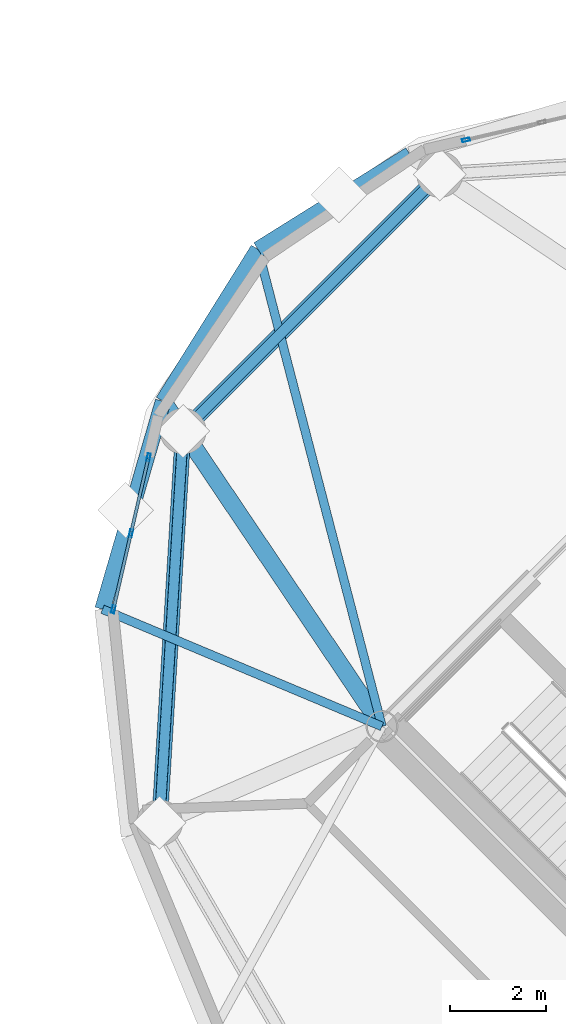
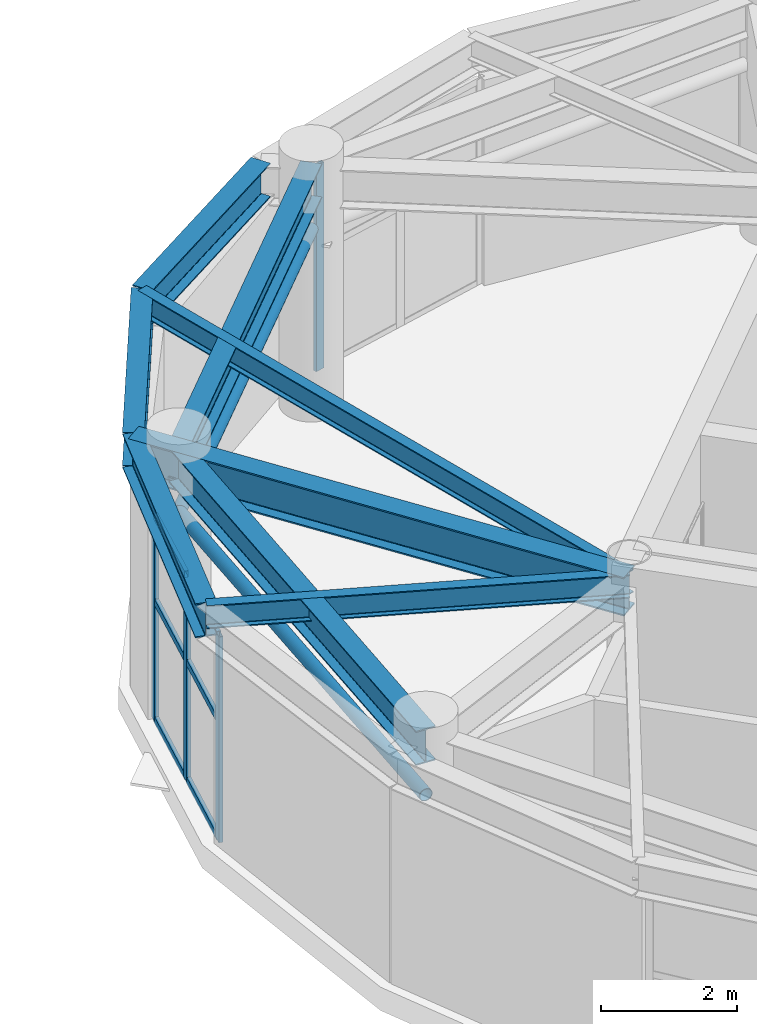
# One storey, part 15 of 28: 12 members, 8 beams, 2 elements without a shape of their own.
"""IFC4 building model written with IfcOpenShell, lengths in metres."""

from ifc_helpers import new_model, si_unit, direction, frame, origin, origin_2d, place, context, subcontext, project, spatial, hollow_rectangle, hollow_circle, i_section, extrude, material, layer, layer_set, material_profile, profile_set, type_object, element, aggregate, save


model = new_model("IFC4")

# Units and contexts
model_context = context("Model", 3, precision=1e-05, world=origin(), true_north=direction((0.0, 1.0)))
body_context = subcontext(model_context, "Body", "Model", "MODEL_VIEW")
ifc_project = project(units=[si_unit("LENGTHUNIT", "METRE"), si_unit("AREAUNIT", "SQUARE_METRE"), si_unit("VOLUMEUNIT", "CUBIC_METRE"), si_unit("PLANEANGLEUNIT", "RADIAN"), si_unit("MASSUNIT", "GRAM", prefix="KILO")], contexts=[model_context])

# Site, building, storey
site_placement = place(None, origin())
site = spatial("IfcSite", under=ifc_project, at=site_placement, CompositionType="ELEMENT")
building_placement = place(site_placement, origin())
building = spatial("IfcBuilding", under=site, at=building_placement, Name="Cununo Teusaquillo Station Towers", CompositionType="ELEMENT")
storey_placement = place(building_placement, frame((0.0, 0.0, 235.64990234375)))
storey = spatial("IfcBuildingStorey", under=building, at=storey_placement, Name="L75", CompositionType="ELEMENT", Elevation=235.64990234375)

# Beams
ifc_material_1 = material(Name="Steel ASTM A572 Grade 50", Category="steel")
ifc_material_profile_1 = material_profile(ifc_material_1, i_section(OverallWidth=0.180908203125, OverallDepth=0.4169921875, WebThickness=0.010986328125, FlangeThickness=0.018310546875, FilletRadius=0.012939453125, at=origin_2d()), Name="W16X57")
ifc_profile_set_1 = profile_set([ifc_material_profile_1], Name="Steel ASTM A572 Grade 50")
beam_type_1 = type_object("IfcBeamType", Name="BM-JOIST-1", PredefinedType="JOIST", material=ifc_profile_set_1)
beam_1_placement = place(storey_placement, frame((48.975830078125, 25.70556640625, 4.131591796875), z_axis=(-0.251559992432, 0.967841707206, 0.0), x_axis=(-0.967841707206, -0.251559992432, 0.0)))
element("IfcBeam", 1, at=beam_1_placement, inside=storey, type_object=beam_type_1, Name="L75 Tower B Radial Spandrel Joist V05", PredefinedType="JOIST", context=body_context, shape_type="SweptSolid", body=[
    extrude(i_section(OverallWidth=0.180908203125, OverallDepth=0.4169921875, WebThickness=0.010986328125, FlangeThickness=0.018310546875, FilletRadius=0.012939453125, at=origin_2d()), origin(), (0.0, 0.0, 1.0), 10.217529296875),
])
beam_2_placement = place(storey_placement, frame((48.975830078125, 25.70556640625, 4.131591796875), z_axis=(-0.922169338565, 0.386786389381, 0.0), x_axis=(-0.386786389381, -0.922169338565, 0.0)))
element("IfcBeam", 2, at=beam_2_placement, inside=storey, type_object=beam_type_1, Name="L75 Tower B Radial Spandrel Joist V07", PredefinedType="JOIST", context=body_context, shape_type="SweptSolid", body=[
    extrude(i_section(OverallWidth=0.180908203125, OverallDepth=0.4169921875, WebThickness=0.010986328125, FlangeThickness=0.018310546875, FilletRadius=0.012939453125, at=origin_2d()), origin(), (0.0, 0.0, 1.0), 6.281005859375),
])
ifc_material_2 = material(Name="Steel ASTM A572 Grade 50", Category="steel")
ifc_material_profile_2 = material_profile(ifc_material_2, i_section(OverallWidth=0.35498046875, OverallDepth=0.696044921875, WebThickness=0.015380859375, FlangeThickness=0.02490234375, FilletRadius=0.01806640625, at=origin_2d()), Name="W27X146")
ifc_profile_set_2 = profile_set([ifc_material_profile_2], Name="Steel ASTM A572 Grade 50")
beam_type_2 = type_object("IfcBeamType", Name="BM-PLNT-G1", PredefinedType="BEAM", material=ifc_profile_set_2)
beam_3_placement = place(storey_placement, frame((48.975830078125, 25.70556640625, 3.9921875), z_axis=(-0.558570844079, 0.829456817529, 0.0), x_axis=(-0.829456817529, -0.558570844079, 0.0)))
element("IfcBeam", 3, at=beam_3_placement, inside=storey, type_object=beam_type_2, Name="L75 Tower B Continuous Overhanging Radial Girder 04", PredefinedType="BEAM", context=body_context, shape_type="SweptSolid", body=[
    extrude(i_section(OverallWidth=0.35498046875, OverallDepth=0.696044921875, WebThickness=0.015380859375, FlangeThickness=0.02490234375, FilletRadius=0.01806640625, at=origin_2d()), origin(), (0.0, 0.0, 1.0), 8.1240234375),
])
ifc_material_3 = material(Name="Steel ASTM A572 Grade 50", Category="steel")
ifc_material_profile_3 = material_profile(ifc_material_3, i_section(OverallWidth=0.324951171875, OverallDepth=0.615966796875, WebThickness=0.013916015625, FlangeThickness=0.021484375, FilletRadius=0.01611328125, at=origin_2d()), Name="W24X117")
ifc_profile_set_3 = profile_set([ifc_material_profile_3], Name="Steel ASTM A572 Grade 50")
beam_type_3 = type_object("IfcBeamType", Name="BM-PLNT-G2", PredefinedType="BEAM", material=ifc_profile_set_3)
beam_4_placement = place(storey_placement, frame((50.173095703125, 37.146240234375, 4.031982421875), z_axis=(-0.707106781187, -0.707106781187, 0.0), x_axis=(0.707106781187, -0.707106781187, 0.0)))
element("IfcBeam", 4, at=beam_4_placement, inside=storey, type_object=beam_type_3, Name="L75 Tower B Structural Column Ring Girder 03", PredefinedType="BEAM", context=body_context, shape_type="SweptSolid", body=[
    extrude(i_section(OverallWidth=0.324951171875, OverallDepth=0.615966796875, WebThickness=0.013916015625, FlangeThickness=0.021484375, FilletRadius=0.01611328125, at=origin_2d()), origin(), (0.0, 0.0, 1.0), 7.522705078125),
])
beam_5_placement = place(storey_placement, frame((44.853759765625, 31.826904296875, 4.031982421875), z_axis=(-0.06012979176, -0.998190567048, 0.0), x_axis=(0.998190567048, -0.06012979176, 0.0)))
element("IfcBeam", 5, at=beam_5_placement, inside=storey, type_object=beam_type_3, Name="L75 Tower B Structural Column Ring Girder 04", PredefinedType="BEAM", context=body_context, shape_type="SweptSolid", body=[
    extrude(i_section(OverallWidth=0.324951171875, OverallDepth=0.615966796875, WebThickness=0.013916015625, FlangeThickness=0.021484375, FilletRadius=0.01611328125, at=origin_2d()), origin(), (0.0, 0.0, 1.0), 8.132568359375),
])
for number, where, z_axis, x_axis, name in (
    (6, (49.555908203125, 37.56201171875, 4.031982421875), (-0.848175505099, -0.529715312739, 0.0), (0.529715312739, -0.848175505099, 0.0), "L75 Tower B Spandrel Ring Beam 05"),
    (7, (46.405517578125, 35.594482421875, 4.031982421875), (-0.529715312739, -0.848175505099, 0.0), (0.848175505099, -0.529715312739, 0.0), "L75 Tower B Spandrel Ring Beam 06"),
):
    element("IfcBeam", number, at=place(storey_placement, frame(where, z_axis=z_axis, x_axis=x_axis)), inside=storey, type_object=beam_type_3, Name=name, PredefinedType="BEAM", context=body_context, shape_type="SweptSolid", body=[
        extrude(i_section(OverallWidth=0.324951171875, OverallDepth=0.615966796875, WebThickness=0.013916015625, FlangeThickness=0.021484375, FilletRadius=0.01611328125, at=origin_2d()), origin(), (0.0, 0.0, 1.0), 3.71435546875),
    ])
beam_6_placement = place(storey_placement, frame((44.43798828125, 32.444091796875, 4.031982421875), z_axis=(-0.279502797802, -0.96014487762, 0.0), x_axis=(0.96014487762, -0.279502797802, 0.0)))
element("IfcBeam", 8, at=beam_6_placement, inside=storey, type_object=beam_type_3, Name="L75 Tower B Spandrel Ring Beam 07", PredefinedType="BEAM", context=body_context, shape_type="SweptSolid", body=[
    extrude(i_section(OverallWidth=0.324951171875, OverallDepth=0.615966796875, WebThickness=0.013916015625, FlangeThickness=0.021484375, FilletRadius=0.01611328125, at=origin_2d()), origin(), (0.0, 0.0, 1.0), 4.488037109375),
])

# Curtain wall, member
ifc_material_4 = material(Name="Ceramic-fritted dark low-E double glazing", Category="glass")
ifc_layer = layer(ifc_material_4, 0.179931640625)
ifc_layer_set = layer_set([ifc_layer], Name="Ceramic-fritted dark low-E double glazing")
curtain_wall_type = type_object("IfcCurtainWallType", Name="CW-SYS-08", PredefinedType="USERDEFINED", material=ifc_layer_set)
curtain_wall_1_placement = place(storey_placement, origin())
curtain_wall_1 = element("IfcCurtainWall", 9, at=curtain_wall_1_placement, inside=storey, type_object=curtain_wall_type, Name="L75 Tower B Crown Drum Glazed Screen C03", ObjectType="FRITTED GLAZING", PredefinedType="USERDEFINED")
ifc_material_5 = material(Name="Anodised dark bronze aluminium EN AW-6063-T6", Category="aluminium")
ifc_material_profile_4 = material_profile(ifc_material_5, hollow_rectangle(XDim=0.06494140625, YDim=0.159912109375, WallThickness=0.00390625, at=origin_2d()), Name="CW-MULL-65x160")
ifc_profile_set_4 = profile_set([ifc_material_profile_4], Name="Anodised dark bronze aluminium EN AW-6063-T6")
member_type_1 = type_object("IfcMemberType", Name="CWM-160", PredefinedType="MULLION", material=ifc_profile_set_4)
member_1_placement = place(storey_placement, frame((50.716064453125, 37.8623046875, 0.0), z_axis=(0.0, 0.0, 1.0), x_axis=(-0.225465813065, 0.974251080132, 0.0)))
member_1 = element("IfcMember", 10, at=member_1_placement, type_object=member_type_1, Name="CW-08 mullion 1", PredefinedType="MULLION", context=body_context, shape_type="SweptSolid", body=[
    extrude(hollow_rectangle(XDim=0.06494140625, YDim=0.159912109375, WallThickness=0.00390625, at=origin_2d()), origin(), (0.0, 0.0, 1.0), 3.696044921875),
])
aggregate(curtain_wall_1, [member_1])

# Curtain wall, members
curtain_wall_2_placement = place(storey_placement, origin())
curtain_wall_2 = element("IfcCurtainWall", 11, at=curtain_wall_2_placement, inside=storey, type_object=curtain_wall_type, Name="L75 Tower B Crown Drum Glazed Screen C06", ObjectType="FRITTED GLAZING", PredefinedType="USERDEFINED")
member_2_placement = place(storey_placement, frame((43.408203125, 28.132080078125, 0.0), z_axis=(0.0, 0.0, 1.0), x_axis=(-0.974251080132, 0.225465813065, 0.0)))
member_2 = element("IfcMember", 12, at=member_2_placement, type_object=member_type_1, Name="CW-08 mullion 1", PredefinedType="MULLION", context=body_context, shape_type="SweptSolid", body=[
    extrude(hollow_rectangle(XDim=0.06494140625, YDim=0.159912109375, WallThickness=0.00390625, at=origin_2d()), origin(), (0.0, 0.0, 1.0), 3.696044921875),
])
member_3_placement = place(storey_placement, frame((43.77294921875, 29.7080078125, 0.0), z_axis=(0.0, 0.0, 1.0), x_axis=(-0.974251080132, 0.225465813065, 0.0)))
member_3 = element("IfcMember", 13, at=member_3_placement, type_object=member_type_1, Name="CW-08 mullion 2", PredefinedType="MULLION", context=body_context, shape_type="SweptSolid", body=[
    extrude(hollow_rectangle(XDim=0.06494140625, YDim=0.159912109375, WallThickness=0.00390625, at=origin_2d()), origin(), (0.0, 0.0, 1.0), 3.696044921875),
])
member_4_placement = place(storey_placement, frame((44.1376953125, 31.283935546875, 0.0), z_axis=(0.0, 0.0, 1.0), x_axis=(-0.974251080132, 0.225465813065, 0.0)))
member_4 = element("IfcMember", 14, at=member_4_placement, type_object=member_type_1, Name="CW-08 mullion 3", PredefinedType="MULLION", context=body_context, shape_type="SweptSolid", body=[
    extrude(hollow_rectangle(XDim=0.06494140625, YDim=0.159912109375, WallThickness=0.00390625, at=origin_2d()), origin(), (0.0, 0.0, 1.0), 3.696044921875),
])
ifc_material_6 = material(Name="Anodised dark bronze aluminium EN AW-6063-T6", Category="aluminium")
ifc_material_profile_5 = material_profile(ifc_material_6, hollow_rectangle(XDim=0.06494140625, YDim=0.1201171875, WallThickness=0.00390625, at=origin_2d()), Name="CW-TRAN-65x120")
ifc_profile_set_5 = profile_set([ifc_material_profile_5], Name="Anodised dark bronze aluminium EN AW-6063-T6")
member_type_2 = type_object("IfcMemberType", Name="CWT-120", PredefinedType="USERDEFINED", material=ifc_profile_set_5)
member_5_placement = place(storey_placement, frame((43.41552734375, 28.163818359375, 0.03271484375), z_axis=(0.225514126498, 0.974239897946, 0.0), x_axis=(-0.974239897946, 0.225514126498, 0.0)))
member_5 = element("IfcMember", 15, at=member_5_placement, type_object=member_type_2, Name="CW-08 transom 1.1", ObjectType="TRANSOM", PredefinedType="USERDEFINED", context=body_context, shape_type="SweptSolid", body=[
    extrude(hollow_rectangle(XDim=0.06494140625, YDim=0.1201171875, WallThickness=0.00390625, at=origin_2d()), origin(), (0.0, 0.0, 1.0), 1.552490234375),
])
member_6_placement = place(storey_placement, frame((43.41552734375, 28.163818359375, 2.150146484375), z_axis=(0.225514126498, 0.974239897946, 0.0), x_axis=(-0.974239897946, 0.225514126498, 0.0)))
member_6 = element("IfcMember", 16, at=member_6_placement, type_object=member_type_2, Name="CW-08 transom 1.2", ObjectType="TRANSOM", PredefinedType="USERDEFINED", context=body_context, shape_type="SweptSolid", body=[
    extrude(hollow_rectangle(XDim=0.06494140625, YDim=0.1201171875, WallThickness=0.00390625, at=origin_2d()), origin(), (0.0, 0.0, 1.0), 1.552490234375),
])
member_7_placement = place(storey_placement, frame((43.41552734375, 28.163818359375, 3.66357421875), z_axis=(0.225514126498, 0.974239897946, 0.0), x_axis=(-0.974239897946, 0.225514126498, 0.0)))
member_7 = element("IfcMember", 17, at=member_7_placement, type_object=member_type_2, Name="CW-08 transom 1.3", ObjectType="TRANSOM", PredefinedType="USERDEFINED", context=body_context, shape_type="SweptSolid", body=[
    extrude(hollow_rectangle(XDim=0.06494140625, YDim=0.1201171875, WallThickness=0.00390625, at=origin_2d()), origin(), (0.0, 0.0, 1.0), 1.552490234375),
])
member_8_placement = place(storey_placement, frame((43.7802734375, 29.73974609375, 0.03271484375), z_axis=(0.225479580359, 0.974247893937, 0.0), x_axis=(-0.974247893937, 0.225479580359, 0.0)))
member_8 = element("IfcMember", 18, at=member_8_placement, type_object=member_type_2, Name="CW-08 transom 2.1", ObjectType="TRANSOM", PredefinedType="USERDEFINED", context=body_context, shape_type="SweptSolid", body=[
    extrude(hollow_rectangle(XDim=0.06494140625, YDim=0.1201171875, WallThickness=0.00390625, at=origin_2d()), origin(), (0.0, 0.0, 1.0), 1.552734375),
])
member_9_placement = place(storey_placement, frame((43.7802734375, 29.73974609375, 2.150146484375), z_axis=(0.225479580359, 0.974247893937, 0.0), x_axis=(-0.974247893937, 0.225479580359, 0.0)))
member_9 = element("IfcMember", 19, at=member_9_placement, type_object=member_type_2, Name="CW-08 transom 2.2", ObjectType="TRANSOM", PredefinedType="USERDEFINED", context=body_context, shape_type="SweptSolid", body=[
    extrude(hollow_rectangle(XDim=0.06494140625, YDim=0.1201171875, WallThickness=0.00390625, at=origin_2d()), origin(), (0.0, 0.0, 1.0), 1.552734375),
])
member_10_placement = place(storey_placement, frame((43.7802734375, 29.73974609375, 3.66357421875), z_axis=(0.225479580359, 0.974247893937, 0.0), x_axis=(-0.974247893937, 0.225479580359, 0.0)))
member_10 = element("IfcMember", 20, at=member_10_placement, type_object=member_type_2, Name="CW-08 transom 2.3", ObjectType="TRANSOM", PredefinedType="USERDEFINED", context=body_context, shape_type="SweptSolid", body=[
    extrude(hollow_rectangle(XDim=0.06494140625, YDim=0.1201171875, WallThickness=0.00390625, at=origin_2d()), origin(), (0.0, 0.0, 1.0), 1.552734375),
])
aggregate(curtain_wall_2, [member_2, member_3, member_4, member_5, member_6, member_7, member_8, member_9, member_10])

# Members
ifc_material_7 = material(Name="Steel EN 10025-2 S355J2", Category="steel")
ifc_material_profile_6 = material_profile(ifc_material_7, hollow_circle(Radius=0.109619140625, WallThickness=0.010009765625, at=origin_2d()), Name="CHS 219x10")
ifc_profile_set_6 = profile_set([ifc_material_profile_6], Name="Steel EN 10025-2 S355J2")
member_type_3 = type_object("IfcMemberType", Name="MBR-DRUM-COL", PredefinedType="COLLAR", material=ifc_profile_set_6)
member_11_placement = place(storey_placement, frame((50.173095703125, 37.146240234375, 3.150146484375), z_axis=(-0.707106781187, -0.707106781187, 0.0), x_axis=(0.707106781187, -0.707106781187, 0.0)))
element("IfcMember", 21, at=member_11_placement, inside=storey, type_object=member_type_3, Name="L75 Tower B Crown Drum Collar 03", PredefinedType="COLLAR", context=body_context, shape_type="SweptSolid", body=[
    extrude(hollow_circle(Radius=0.109619140625, WallThickness=0.010009765625, at=origin_2d()), origin(), (0.0, 0.0, 1.0), 7.522705078125),
])
member_12_placement = place(storey_placement, frame((44.853759765625, 31.826904296875, 3.150146484375), z_axis=(-0.06012979176, -0.998190567048, 0.0), x_axis=(0.998190567048, -0.06012979176, 0.0)))
element("IfcMember", 22, at=member_12_placement, inside=storey, type_object=member_type_3, Name="L75 Tower B Crown Drum Collar 04", PredefinedType="COLLAR", context=body_context, shape_type="SweptSolid", body=[
    extrude(hollow_circle(Radius=0.109619140625, WallThickness=0.010009765625, at=origin_2d()), origin(), (0.0, 0.0, 1.0), 8.132568359375),
])

save(model, "model.ifc")
